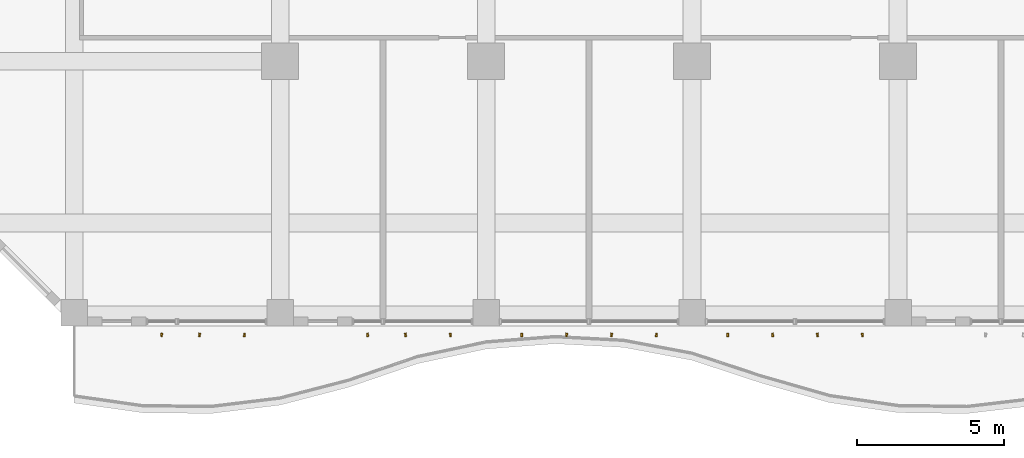
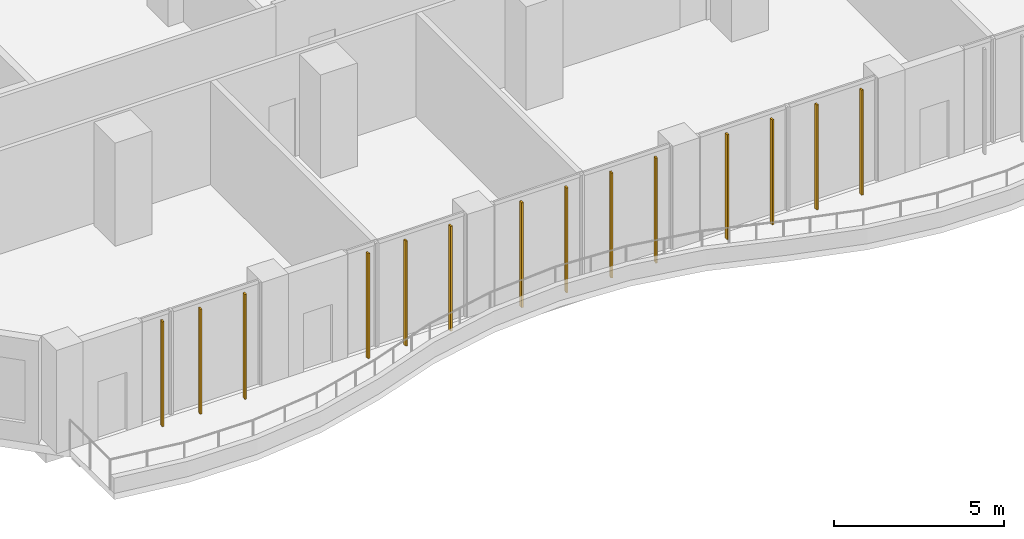
# One storey, part 21 of 29: 14 shading devices.
"""IFC4 building model written with IfcOpenShell, lengths in metres."""

from ifc_helpers import new_model, si_unit, direction, frame, origin, origin_2d, place, context, subcontext, project, spatial, rectangle, extrude, source, transform, mapped, material, material_profile, profile_set, type_object, element, save


model = new_model("IFC4")

# Units and contexts
model_context = context("Model", 3, precision=1e-05, world=origin(), true_north=direction((0.0, 1.0)))
body_context = subcontext(model_context, "Body", "Model", "MODEL_VIEW")
ifc_project = project(units=[si_unit("LENGTHUNIT", "METRE"), si_unit("AREAUNIT", "SQUARE_METRE"), si_unit("VOLUMEUNIT", "CUBIC_METRE"), si_unit("PLANEANGLEUNIT", "RADIAN"), si_unit("MASSUNIT", "GRAM", prefix="KILO")], contexts=[model_context])

# Site, building, storey
site_placement = place(None, origin())
site = spatial("IfcSite", under=ifc_project, at=site_placement, CompositionType="ELEMENT")
building_placement = place(site_placement, origin())
building = spatial("IfcBuilding", under=site, at=building_placement, Name="Kilnfold Tower and Market Hall", CompositionType="ELEMENT")
storey_placement = place(building_placement, frame((0.0, 0.0, 79.199951171875)))
storey = spatial("IfcBuildingStorey", under=building, at=storey_placement, Name="L18", CompositionType="ELEMENT", Elevation=79.199951171875)

# Shading devices
ifc_material = material(Name="Terracotta", Category="masonry")
ifc_material_profile = material_profile(ifc_material, rectangle(XDim=0.06005859375, YDim=0.1201171875, at=origin_2d()), Name="BAG 60x120")
ifc_profile_set = profile_set([ifc_material_profile], Name="Terracotta")
shading_device_type = type_object("IfcShadingDeviceType", Name="BAGUETTE", PredefinedType="USERDEFINED", material=ifc_profile_set)
shared_shape = source(origin(), body_context, "Body", "SweptSolid", [
    extrude(rectangle(XDim=0.06005859375, YDim=0.1201171875, at=origin_2d()), origin(), (0.0, 0.0, 1.0), 3.780029296875),
])
for number, where, z_axis, x_axis, name in (
    (1, (-16.52490234375, -28.300048828125, 0.0), (0.0, 0.0, 1.0), (0.992396304618, -0.123083608092, 0.0), "Terracotta baguette L18 S"),
    (2, (-15.237548828125, -28.300048828125, 0.0), (0.0, 0.0, 1.0), (0.990348062439, -0.138602724445, 0.0), "Terracotta baguette L18 S"),
    (3, (-13.71240234375, -28.300048828125, 0.0), (0.0, 0.0, 1.0), (0.99503179316, -0.099557674746, 0.0), "Terracotta baguette L18 S"),
    (4, (-9.52490234375, -28.300048828125, 0.0), (0.0, 0.0, 1.0), (0.992396304618, 0.123083608092, 0.0), "Terracotta baguette L18 S"),
    (5, (-8.237548828125, -28.300048828125, 0.0), (0.0, 0.0, 1.0), (0.990348062439, 0.138602724445, 0.0), "Terracotta baguette L18 S"),
    (6, (-6.71240234375, -28.300048828125, 0.0), (0.0, 0.0, 1.0), (0.99503179316, 0.099557674746, 0.0), "Terracotta baguette L18 S"),
    (7, (-4.28759765625, -28.300048828125, 0.0), (0.0, 0.0, 1.0), (0.999187797607, -0.040295720773, 0.0), "Terracotta baguette L18 S"),
    (8, (-2.762451171875, -28.300048828125, 0.0), (0.0, 0.0, 1.0), (0.993309022359, -0.1154867356, 0.0), "Terracotta baguette L18 S"),
    (9, (-1.237548828125, -28.300048828125, 0.0), (0.0, 0.0, 1.0), (0.990348062439, -0.138602724445, 0.0), "Terracotta baguette L18 S"),
    (10, (0.28759765625, -28.300048828125, 0.0), (0.0, 0.0, 1.0), (0.99503179316, -0.099557674746, 0.0), "Terracotta baguette L18 S"),
    (11, (2.71240234375, -28.300048828125, 0.0), (0.0, 0.0, 1.0), (0.999187797607, 0.040295720773, 0.0), "Terracotta baguette L18 S"),
    (12, (4.237548828125, -28.300048828125, 0.0), (0.0, 0.0, 1.0), (0.993309022359, 0.1154867356, 0.0), "Terracotta baguette L18 S"),
    (13, (5.762451171875, -28.300048828125, 0.0), (0.0, 0.0, 1.0), (0.990348062439, 0.138602724445, 0.0), "Terracotta baguette L18 S"),
    (14, (7.28759765625, -28.300048828125, 0.0), (0.0, 0.0, 1.0), (0.99503179316, 0.099557674746, 0.0), "Terracotta baguette L18 S"),
):
    element("IfcShadingDevice", number, at=place(storey_placement, frame(where, z_axis=z_axis, x_axis=x_axis)), inside=storey, type_object=shading_device_type, Name=name, ObjectType="BAGUETTE", PredefinedType="USERDEFINED", context=body_context, shape_type="MappedRepresentation", body=[
        mapped(shared_shape, transform((0.0, 0.0, 0.0))),
    ])

save(model, "model.ifc")
